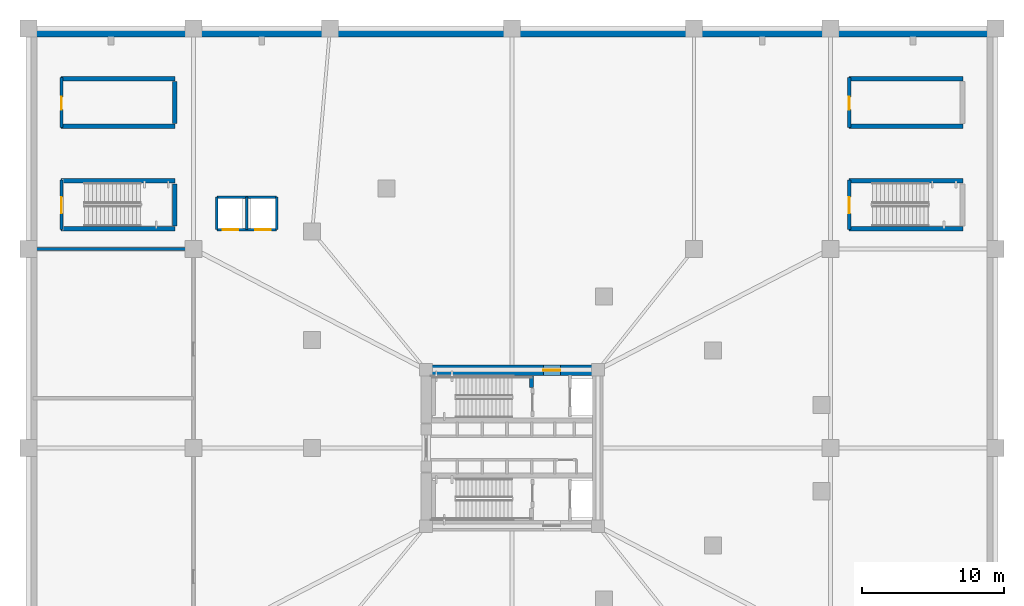
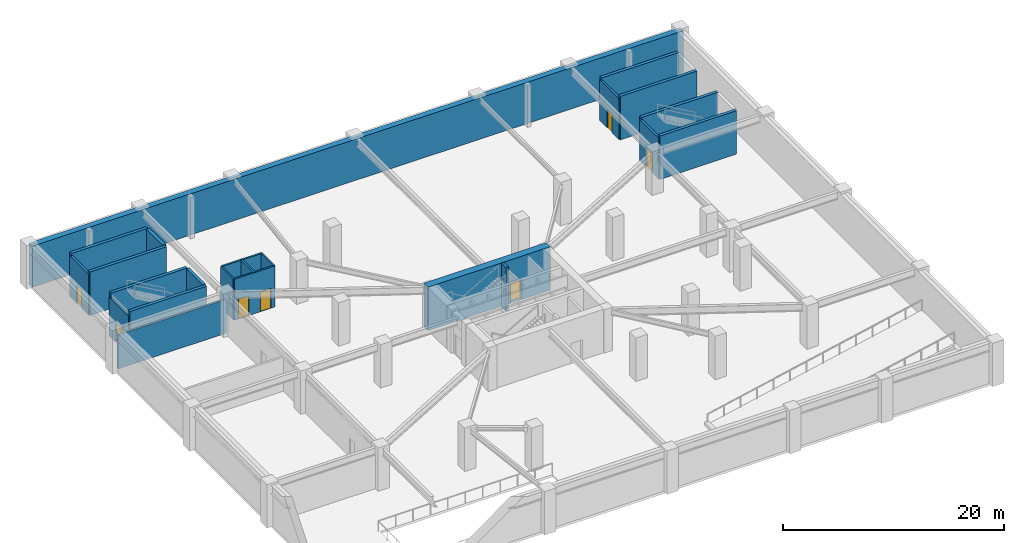
# One storey, part 5 of 13: 23 walls, 7 doors, 7 openings.
"""IFC4 building model written with IfcOpenShell, lengths in metres."""

from ifc_helpers import new_model, si_unit, direction, frame, frame_2d, origin, place, context, subcontext, project, spatial, rectangle, extrude, material, layer, layer_set, type_object, element, fill, save


model = new_model("IFC4")

# Units and contexts
model_context = context("Model", 3, precision=1e-05, world=origin(), true_north=direction((0.0, 1.0)))
body_context = subcontext(model_context, "Body", "Model", "MODEL_VIEW")
ifc_project = project(units=[si_unit("LENGTHUNIT", "METRE"), si_unit("AREAUNIT", "SQUARE_METRE"), si_unit("VOLUMEUNIT", "CUBIC_METRE"), si_unit("PLANEANGLEUNIT", "RADIAN"), si_unit("MASSUNIT", "GRAM", prefix="KILO")], contexts=[model_context])

# Site, building, storey
site_placement = place(None, origin())
site = spatial("IfcSite", under=ifc_project, at=site_placement, CompositionType="ELEMENT")
building_placement = place(site_placement, origin())
building = spatial("IfcBuilding", under=site, at=building_placement, Name="Yunling Apex Tower", CompositionType="ELEMENT")
storey_placement = place(building_placement, frame((0.0, 0.0, -4.800048828125)))
storey = spatial("IfcBuildingStorey", under=building, at=storey_placement, Name="B01", CompositionType="ELEMENT", Elevation=-4.800048828125)

# Wall
ifc_material_1 = material(Name="Concrete C50", Category="concrete")
ifc_layer_1 = layer(ifc_material_1, 0.60009765625)
ifc_layer_set_1 = layer_set([ifc_layer_1], Name="Concrete C50")
wall_type_1 = type_object("IfcWallType", Name="WL-BSM-2", PredefinedType="USERDEFINED", material=ifc_layer_set_1)
wall_1_placement = place(storey_placement, frame((-34.0, 29.199951171875, 0.0), z_axis=(0.0, 0.0, 1.0), x_axis=(1.0, 0.0, 0.0)))
element("IfcWall", 1, at=wall_1_placement, inside=storey, type_object=wall_type_1, Name="B01 North Retaining Wall", ObjectType="RETAININGWALL", PredefinedType="USERDEFINED", context=body_context, shape_type="SweptSolid", body=[
    extrude(rectangle(XDim=68.0, YDim=0.60009765625, at=frame_2d((34.0, 0.0))), origin(), (0.0, 0.0, 1.0), 4.56005859375),
])

# Wall, opening, door
ifc_material_2 = material(Name="Concrete C60", Category="concrete")
ifc_layer_2 = layer(ifc_material_2, 0.75)
ifc_layer_set_2 = layer_set([ifc_layer_2], Name="Concrete C60")
wall_type_2 = type_object("IfcWallType", Name="WL-COR-1", PredefinedType="SHEAR", material=ifc_layer_set_2)
wall_2_placement = place(storey_placement, frame((-6.39990234375, 5.47509765625, 0.0), z_axis=(0.0, 0.0, 1.0), x_axis=(1.0, 0.0, 0.0)))
wall_2 = element("IfcWall", 2, at=wall_2_placement, inside=storey, type_object=wall_type_2, Name="B01 North Core Shear Wall", PredefinedType="SHEAR", context=body_context, shape_type="SweptSolid", body=[
    extrude(rectangle(XDim=12.7998046875, YDim=0.75, at=frame_2d((6.39990234375, 0.0))), origin(), (0.0, 0.0, 1.0), 4.800048828125),
])
opening_1_placement = place(wall_2_placement, frame((8.60009765625, 0.0, 0.0)))
opening_1 = element("IfcOpeningElement", 3, at=opening_1_placement, cuts=wall_2, Name="Opening DR-FFL-1", PredefinedType="OPENING", context=body_context, shape_type="SweptSolid", body=[
    extrude(rectangle(XDim=1.199951171875, YDim=2.199951171875, at=frame_2d((0.60009765625, 1.10009765625))), frame((0.0, 0.385009765625, 0.0), z_axis=(0.0, -1.0, 0.0), x_axis=(1.0, 0.0, 0.0)), (0.0, 0.0, 1.0), 0.77001953125),
])
ifc_material_3 = material(Name="Steel Q355B", Category="steel")
door_type_1 = type_object("IfcDoorType", Name="DR-FFL-1", OperationType="NOTDEFINED", PredefinedType="DOOR", material=ifc_material_3)
door_1_placement = place(opening_1_placement, origin())
door_1 = element("IfcDoor", 4, at=door_1_placement, inside=storey, type_object=door_type_1, Name="B01 North Firefighting Lobby Door", OperationType="SINGLE_SWING_LEFT", OverallHeight=2.199951171875, OverallWidth=1.199951171875, PredefinedType="DOOR", context=body_context, shape_type="SweptSolid", body=[
    extrude(rectangle(XDim=1.199951171875, YDim=2.199951171875, at=frame_2d((0.60009765625, 1.10009765625))), frame((0.0, 0.02490234375, 0.0), z_axis=(0.0, -1.0, 0.0), x_axis=(1.0, 0.0, 0.0)), (0.0, 0.0, 1.0), 0.050048828125),
])
fill(opening_1, door_1)

# Walls
ifc_material_4 = material(Name="Concrete C40", Category="concrete")
ifc_layer_3 = layer(ifc_material_4, 0.320068359375)
ifc_layer_set_3 = layer_set([ifc_layer_3], Name="Concrete C40")
wall_type_3 = type_object("IfcWallType", Name="WL-COR-7", PredefinedType="SHEAR", material=ifc_layer_set_3)
for number, where, z_axis, x_axis, name in (
    (5, (-31.699951171875, 18.780029296875, 0.0), (0.0, 0.0, 1.0), (1.0, 0.0, 0.0), "B01 STP1 North Bearing Wall"),
    (6, (-31.699951171875, 15.419921875, 0.0), (0.0, 0.0, 1.0), (1.0, 0.0, 0.0), "B01 STP1 South Bearing Wall"),
):
    element("IfcWall", number, at=place(storey_placement, frame(where, z_axis=z_axis, x_axis=x_axis)), inside=storey, type_object=wall_type_3, Name=name, PredefinedType="SHEAR", context=body_context, shape_type="SweptSolid", body=[
        extrude(rectangle(XDim=8.0, YDim=0.320068359375, at=frame_2d((4.0, 0.0))), origin(), (0.0, 0.0, 1.0), 4.800048828125),
    ])
wall_3_placement = place(storey_placement, frame((-23.719970703125, 15.6201171875, 0.0), z_axis=(0.0, 0.0, 1.0), x_axis=(0.0, 1.0, 0.0)))
element("IfcWall", 7, at=wall_3_placement, inside=storey, type_object=wall_type_3, Name="B01 STP1 Half-Landing Bearing Wall", PredefinedType="SHEAR", context=body_context, shape_type="SweptSolid", body=[
    extrude(rectangle(XDim=2.9599609375, YDim=0.320068359375, at=frame_2d((1.47998046875, 0.0))), origin(), (0.0, 0.0, 1.0), 4.800048828125),
])
for number, where, z_axis, x_axis, name in (
    (8, (23.699951171875, 18.780029296875, 0.0), (0.0, 0.0, 1.0), (1.0, 0.0, 0.0), "B01 STP2 North Bearing Wall"),
    (9, (23.699951171875, 15.419921875, 0.0), (0.0, 0.0, 1.0), (1.0, 0.0, 0.0), "B01 STP2 South Bearing Wall"),
    (10, (-31.699951171875, 25.97998046875, 0.0), (0.0, 0.0, 1.0), (1.0, 0.0, 0.0), "B01 STG1 North Bearing Wall"),
    (11, (-31.699951171875, 22.6201171875, 0.0), (0.0, 0.0, 1.0), (1.0, 0.0, 0.0), "B01 STG1 South Bearing Wall"),
):
    element("IfcWall", number, at=place(storey_placement, frame(where, z_axis=z_axis, x_axis=x_axis)), inside=storey, type_object=wall_type_3, Name=name, PredefinedType="SHEAR", context=body_context, shape_type="SweptSolid", body=[
        extrude(rectangle(XDim=8.0, YDim=0.320068359375, at=frame_2d((4.0, 0.0))), origin(), (0.0, 0.0, 1.0), 4.800048828125),
    ])
wall_4_placement = place(storey_placement, frame((-23.719970703125, 22.820068359375, 0.0), z_axis=(0.0, 0.0, 1.0), x_axis=(0.0, 1.0, 0.0)))
element("IfcWall", 12, at=wall_4_placement, inside=storey, type_object=wall_type_3, Name="B01 STG1 Half-Landing Bearing Wall", PredefinedType="SHEAR", context=body_context, shape_type="SweptSolid", body=[
    extrude(rectangle(XDim=2.9599609375, YDim=0.320068359375, at=frame_2d((1.47998046875, 0.0))), origin(), (0.0, 0.0, 1.0), 4.800048828125),
])
for number, where, z_axis, x_axis, name in (
    (13, (23.699951171875, 25.97998046875, 0.0), (0.0, 0.0, 1.0), (1.0, 0.0, 0.0), "B01 STG2 North Bearing Wall"),
    (14, (23.699951171875, 22.6201171875, 0.0), (0.0, 0.0, 1.0), (1.0, 0.0, 0.0), "B01 STG2 South Bearing Wall"),
):
    element("IfcWall", number, at=place(storey_placement, frame(where, z_axis=z_axis, x_axis=x_axis)), inside=storey, type_object=wall_type_3, Name=name, PredefinedType="SHEAR", context=body_context, shape_type="SweptSolid", body=[
        extrude(rectangle(XDim=8.0, YDim=0.320068359375, at=frame_2d((4.0, 0.0))), origin(), (0.0, 0.0, 1.0), 4.800048828125),
    ])
ifc_layer_4 = layer(ifc_material_4, 0.280029296875)
ifc_layer_set_4 = layer_set([ifc_layer_4], Name="Concrete C40")
wall_type_4 = type_object("IfcWallType", Name="WL-COR-8", PredefinedType="SHEAR", material=ifc_layer_set_4)
wall_5_placement = place(storey_placement, frame((1.3798828125, 4.25, 0.0), z_axis=(0.0, 0.0, 1.0), x_axis=(0.0, 1.0, 0.0)))
element("IfcWall", 15, at=wall_5_placement, inside=storey, type_object=wall_type_4, Name="B01 ST-1 East Landing Bearing Pier", PredefinedType="SHEAR", context=body_context, shape_type="SweptSolid", body=[
    extrude(rectangle(XDim=0.800048828125, YDim=0.280029296875, at=frame_2d((0.39990234375, 0.0))), origin(), (0.0, 0.0, 1.0), 4.800048828125),
])

# Wall, opening, door
ifc_material_5 = material(Name="Autoclaved aerated concrete masonry", Category="masonry")
ifc_layer_5 = layer(ifc_material_5, 0.219970703125)
ifc_layer_set_5 = layer_set([ifc_layer_5], Name="Autoclaved aerated concrete masonry")
wall_type_5 = type_object("IfcWallType", Name="WL-SHF-1", PredefinedType="PLUMBINGWALL", material=ifc_layer_set_5)
wall_6_placement = place(storey_placement, frame((-31.679931640625, 15.35009765625, 0.0), z_axis=(0.0, 0.0, 1.0), x_axis=(0.0, 1.0, 0.0)))
wall_6 = element("IfcWall", 16, at=wall_6_placement, inside=storey, type_object=wall_type_5, Name="WL-STP1-W-B01", PredefinedType="PLUMBINGWALL", context=body_context, shape_type="SweptSolid", body=[
    extrude(rectangle(XDim=3.5, YDim=0.219970703125, at=frame_2d((1.75, 0.0))), origin(), (0.0, 0.0, 1.0), 4.27001953125),
])
opening_2_placement = place(wall_6_placement, frame((1.14990234375, 0.0, 0.0)))
opening_2 = element("IfcOpeningElement", 17, at=opening_2_placement, cuts=wall_6, Name="Opening DR-ST-1", PredefinedType="OPENING", context=body_context, shape_type="SweptSolid", body=[
    extrude(rectangle(XDim=1.14990234375, YDim=2.14990234375, at=frame_2d((0.574951171875, 1.074951171875))), frame((0.0, 0.1201171875, 0.0), z_axis=(0.0, -1.0, 0.0), x_axis=(1.0, 0.0, 0.0)), (0.0, 0.0, 1.0), 0.239990234375),
])
door_type_2 = type_object("IfcDoorType", Name="DR-ST-1", OperationType="NOTDEFINED", PredefinedType="DOOR", material=ifc_material_3)
door_2_placement = place(opening_2_placement, origin())
door_2 = element("IfcDoor", 18, at=door_2_placement, inside=storey, type_object=door_type_2, Name="B01 Stair ST-P1 Door", OperationType="SINGLE_SWING_RIGHT", OverallHeight=2.14990234375, OverallWidth=1.14990234375, PredefinedType="DOOR", context=body_context, shape_type="SweptSolid", body=[
    extrude(rectangle(XDim=1.14990234375, YDim=2.14990234375, at=frame_2d((0.574951171875, 1.074951171875))), frame((0.0, 0.02490234375, 0.0), z_axis=(0.0, -1.0, 0.0), x_axis=(1.0, 0.0, 0.0)), (0.0, 0.0, 1.0), 0.050048828125),
])
fill(opening_2, door_2)

wall_7_placement = place(storey_placement, frame((23.719970703125, 15.35009765625, 0.0), z_axis=(0.0, 0.0, 1.0), x_axis=(0.0, 1.0, 0.0)))
wall_7 = element("IfcWall", 19, at=wall_7_placement, inside=storey, type_object=wall_type_5, Name="WL-STP2-W-B01", PredefinedType="PLUMBINGWALL", context=body_context, shape_type="SweptSolid", body=[
    extrude(rectangle(XDim=3.5, YDim=0.219970703125, at=frame_2d((1.75, 0.0))), origin(), (0.0, 0.0, 1.0), 4.5400390625),
])
opening_3_placement = place(wall_7_placement, frame((1.14990234375, 0.0, 0.0)))
opening_3 = element("IfcOpeningElement", 20, at=opening_3_placement, cuts=wall_7, Name="Opening DR-ST-1", PredefinedType="OPENING", context=body_context, shape_type="SweptSolid", body=[
    extrude(rectangle(XDim=1.14990234375, YDim=2.14990234375, at=frame_2d((0.574951171875, 1.074951171875))), frame((0.0, 0.1201171875, 0.0), z_axis=(0.0, -1.0, 0.0), x_axis=(1.0, 0.0, 0.0)), (0.0, 0.0, 1.0), 0.239990234375),
])
door_3_placement = place(opening_3_placement, origin())
door_3 = element("IfcDoor", 21, at=door_3_placement, inside=storey, type_object=door_type_2, Name="B01 Stair ST-P2 Door", OperationType="SINGLE_SWING_LEFT", OverallHeight=2.14990234375, OverallWidth=1.14990234375, PredefinedType="DOOR", context=body_context, shape_type="SweptSolid", body=[
    extrude(rectangle(XDim=1.14990234375, YDim=2.14990234375, at=frame_2d((0.574951171875, 1.074951171875))), frame((0.0, 0.02490234375, 0.0), z_axis=(0.0, -1.0, 0.0), x_axis=(1.0, 0.0, 0.0)), (0.0, 0.0, 1.0), 0.050048828125),
])
fill(opening_3, door_3)

wall_8_placement = place(storey_placement, frame((-31.679931640625, 22.550048828125, 0.0), z_axis=(0.0, 0.0, 1.0), x_axis=(0.0, 1.0, 0.0)))
wall_8 = element("IfcWall", 22, at=wall_8_placement, inside=storey, type_object=wall_type_5, Name="WL-STG1-W-B01", PredefinedType="PLUMBINGWALL", context=body_context, shape_type="SweptSolid", body=[
    extrude(rectangle(XDim=3.5, YDim=0.219970703125, at=frame_2d((1.75, 0.0))), origin(), (0.0, 0.0, 1.0), 4.5400390625),
])
opening_4_placement = place(wall_8_placement, frame((1.25, 0.0, 0.0)))
opening_4 = element("IfcOpeningElement", 23, at=opening_4_placement, cuts=wall_8, Name="Opening DR-SHF-1", PredefinedType="OPENING", context=body_context, shape_type="SweptSolid", body=[
    extrude(rectangle(XDim=0.89990234375, YDim=2.050048828125, at=frame_2d((0.449951171875, 1.02490234375))), frame((0.0, 0.1201171875, 0.0), z_axis=(0.0, -1.0, 0.0), x_axis=(1.0, 0.0, 0.0)), (0.0, 0.0, 1.0), 0.239990234375),
])
door_type_3 = type_object("IfcDoorType", Name="DR-SHF-1", OperationType="NOTDEFINED", PredefinedType="DOOR", material=ifc_material_3)
door_4_placement = place(opening_4_placement, origin())
door_4 = element("IfcDoor", 24, at=door_4_placement, inside=storey, type_object=door_type_3, Name="B01 NW Vault Door", OperationType="SINGLE_SWING_RIGHT", OverallHeight=2.050048828125, OverallWidth=0.89990234375, PredefinedType="DOOR", context=body_context, shape_type="SweptSolid", body=[
    extrude(rectangle(XDim=0.89990234375, YDim=2.050048828125, at=frame_2d((0.449951171875, 1.02490234375))), frame((0.0, 0.02490234375, 0.0), z_axis=(0.0, -1.0, 0.0), x_axis=(1.0, 0.0, 0.0)), (0.0, 0.0, 1.0), 0.050048828125),
])
fill(opening_4, door_4)

wall_9_placement = place(storey_placement, frame((23.719970703125, 22.550048828125, 0.0), z_axis=(0.0, 0.0, 1.0), x_axis=(0.0, 1.0, 0.0)))
wall_9 = element("IfcWall", 25, at=wall_9_placement, inside=storey, type_object=wall_type_5, Name="WL-STG2-W-B01", PredefinedType="PLUMBINGWALL", context=body_context, shape_type="SweptSolid", body=[
    extrude(rectangle(XDim=3.5, YDim=0.219970703125, at=frame_2d((1.75, 0.0))), origin(), (0.0, 0.0, 1.0), 4.5400390625),
])
opening_5_placement = place(wall_9_placement, frame((1.25, 0.0, 0.0)))
opening_5 = element("IfcOpeningElement", 26, at=opening_5_placement, cuts=wall_9, Name="Opening DR-SHF-1", PredefinedType="OPENING", context=body_context, shape_type="SweptSolid", body=[
    extrude(rectangle(XDim=0.89990234375, YDim=2.050048828125, at=frame_2d((0.449951171875, 1.02490234375))), frame((0.0, 0.1201171875, 0.0), z_axis=(0.0, -1.0, 0.0), x_axis=(1.0, 0.0, 0.0)), (0.0, 0.0, 1.0), 0.239990234375),
])
door_5_placement = place(opening_5_placement, origin())
door_5 = element("IfcDoor", 27, at=door_5_placement, inside=storey, type_object=door_type_3, Name="B01 NE Vault Door", OperationType="SINGLE_SWING_LEFT", OverallHeight=2.050048828125, OverallWidth=0.89990234375, PredefinedType="DOOR", context=body_context, shape_type="SweptSolid", body=[
    extrude(rectangle(XDim=0.89990234375, YDim=2.050048828125, at=frame_2d((0.449951171875, 1.02490234375))), frame((0.0, 0.02490234375, 0.0), z_axis=(0.0, -1.0, 0.0), x_axis=(1.0, 0.0, 0.0)), (0.0, 0.0, 1.0), 0.050048828125),
])
fill(opening_5, door_5)

# Wall
wall_10_placement = place(storey_placement, frame((-33.699951171875, 14.0, 0.0), z_axis=(0.0, 0.0, 1.0), x_axis=(1.0, 0.0, 0.0)))
element("IfcWall", 28, at=wall_10_placement, inside=storey, type_object=wall_type_5, Name="WL-BMEP-N-B01", PredefinedType="PLUMBINGWALL", context=body_context, shape_type="SweptSolid", body=[
    extrude(rectangle(XDim=11.300048828125, YDim=0.219970703125, at=frame_2d((5.64990234375, 0.0))), origin(), (0.0, 0.0, 1.0), 3.7451171875),
])

# Wall, openings, doors
ifc_layer_6 = layer(ifc_material_5, 0.179931640625)
ifc_layer_set_6 = layer_set([ifc_layer_6], Name="Autoclaved aerated concrete masonry")
wall_type_6 = type_object("IfcWallType", Name="WL-SHF-2", PredefinedType="PLUMBINGWALL", material=ifc_layer_set_6)
wall_11_placement = place(storey_placement, frame((-20.75, 15.35009765625, 0.0), z_axis=(0.0, 0.0, 1.0), x_axis=(1.0, 0.0, 0.0)))
wall_11 = element("IfcWall", 29, at=wall_11_placement, inside=storey, type_object=wall_type_6, Name="WL-PLP-S-B01", PredefinedType="PLUMBINGWALL", context=body_context, shape_type="SweptSolid", body=[
    extrude(rectangle(XDim=4.199951171875, YDim=0.179931640625, at=frame_2d((2.10009765625, 0.0))), origin(), (0.0, 0.0, 1.0), 4.5400390625),
])
opening_6_placement = place(wall_11_placement, frame((0.39990234375, 0.0, 0.0)))
opening_6 = element("IfcOpeningElement", 30, at=opening_6_placement, cuts=wall_11, Name="Opening LD-PAS-1", PredefinedType="OPENING", context=body_context, shape_type="SweptSolid", body=[
    extrude(rectangle(XDim=1.10009765625, YDim=2.199951171875, at=frame_2d((0.550048828125, 1.10009765625))), frame((0.0, 0.10009765625, 0.0), z_axis=(0.0, -1.0, 0.0), x_axis=(1.0, 0.0, 0.0)), (0.0, 0.0, 1.0), 0.199951171875),
])
opening_7_placement = place(wall_11_placement, frame((2.699951171875, 0.0, 0.0)))
opening_7 = element("IfcOpeningElement", 31, at=opening_7_placement, cuts=wall_11, Name="Opening LD-PAS-1", PredefinedType="OPENING", context=body_context, shape_type="SweptSolid", body=[
    extrude(rectangle(XDim=1.10009765625, YDim=2.199951171875, at=frame_2d((0.550048828125, 1.10009765625))), frame((0.0, 0.10009765625, 0.0), z_axis=(0.0, -1.0, 0.0), x_axis=(1.0, 0.0, 0.0)), (0.0, 0.0, 1.0), 0.199951171875),
])
ifc_material_6 = material(Name="Silver anodised aluminium", Category="aluminium")
door_type_4 = type_object("IfcDoorType", Name="LD-PAS-1", OperationType="DOUBLE_DOOR_SLIDING", PredefinedType="DOOR", material=ifc_material_6)
door_6_placement = place(opening_6_placement, origin())
door_6 = element("IfcDoor", 32, at=door_6_placement, inside=storey, type_object=door_type_4, Name="B01 Lift PL-P1 Landing Door", OperationType="DOUBLE_DOOR_SLIDING", OverallHeight=2.199951171875, OverallWidth=1.10009765625, PredefinedType="DOOR", context=body_context, shape_type="SweptSolid", body=[
    extrude(rectangle(XDim=1.10009765625, YDim=2.199951171875, at=frame_2d((0.550048828125, 1.10009765625))), frame((0.0, 0.02490234375, 0.0), z_axis=(0.0, -1.0, 0.0), x_axis=(1.0, 0.0, 0.0)), (0.0, 0.0, 1.0), 0.050048828125),
])
fill(opening_6, door_6)
door_7_placement = place(opening_7_placement, origin())
door_7 = element("IfcDoor", 33, at=door_7_placement, inside=storey, type_object=door_type_4, Name="B01 Lift PL-P2 Landing Door", OperationType="DOUBLE_DOOR_SLIDING", OverallHeight=2.199951171875, OverallWidth=1.10009765625, PredefinedType="DOOR", context=body_context, shape_type="SweptSolid", body=[
    extrude(rectangle(XDim=1.10009765625, YDim=2.199951171875, at=frame_2d((0.550048828125, 1.10009765625))), frame((0.0, 0.02490234375, 0.0), z_axis=(0.0, -1.0, 0.0), x_axis=(1.0, 0.0, 0.0)), (0.0, 0.0, 1.0), 0.050048828125),
])
fill(opening_7, door_7)

# Walls
wall_12_placement = place(storey_placement, frame((-20.75, 17.64990234375, 0.0), z_axis=(0.0, 0.0, 1.0), x_axis=(1.0, 0.0, 0.0)))
element("IfcWall", 34, at=wall_12_placement, inside=storey, type_object=wall_type_6, Name="WL-PLP-N-B01", PredefinedType="PLUMBINGWALL", context=body_context, shape_type="SweptSolid", body=[
    extrude(rectangle(XDim=4.199951171875, YDim=0.179931640625, at=frame_2d((2.10009765625, 0.0))), origin(), (0.0, 0.0, 1.0), 4.5400390625),
])
for number, where, z_axis, x_axis, name in (
    (35, (-20.75, 15.35009765625, 0.0), (0.0, 0.0, 1.0), (0.0, 1.0, 0.0), "WL-PLP-W-B01"),
    (36, (-18.64990234375, 15.35009765625, 0.0), (0.0, 0.0, 1.0), (0.0, 1.0, 0.0), "WL-PLP-M-B01"),
    (37, (-16.550048828125, 15.35009765625, 0.0), (0.0, 0.0, 1.0), (0.0, 1.0, 0.0), "WL-PLP-E-B01"),
):
    element("IfcWall", number, at=place(storey_placement, frame(where, z_axis=z_axis, x_axis=x_axis)), inside=storey, type_object=wall_type_6, Name=name, PredefinedType="PLUMBINGWALL", context=body_context, shape_type="SweptSolid", body=[
        extrude(rectangle(XDim=2.2998046875, YDim=0.179931640625, at=frame_2d((1.14990234375, 0.0))), origin(), (0.0, 0.0, 1.0), 4.5400390625),
    ])

save(model, "model.ifc")
